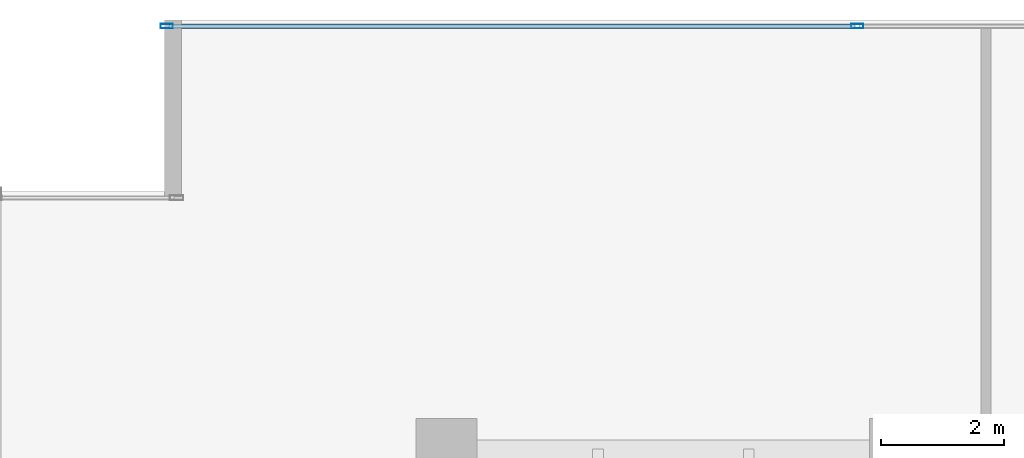
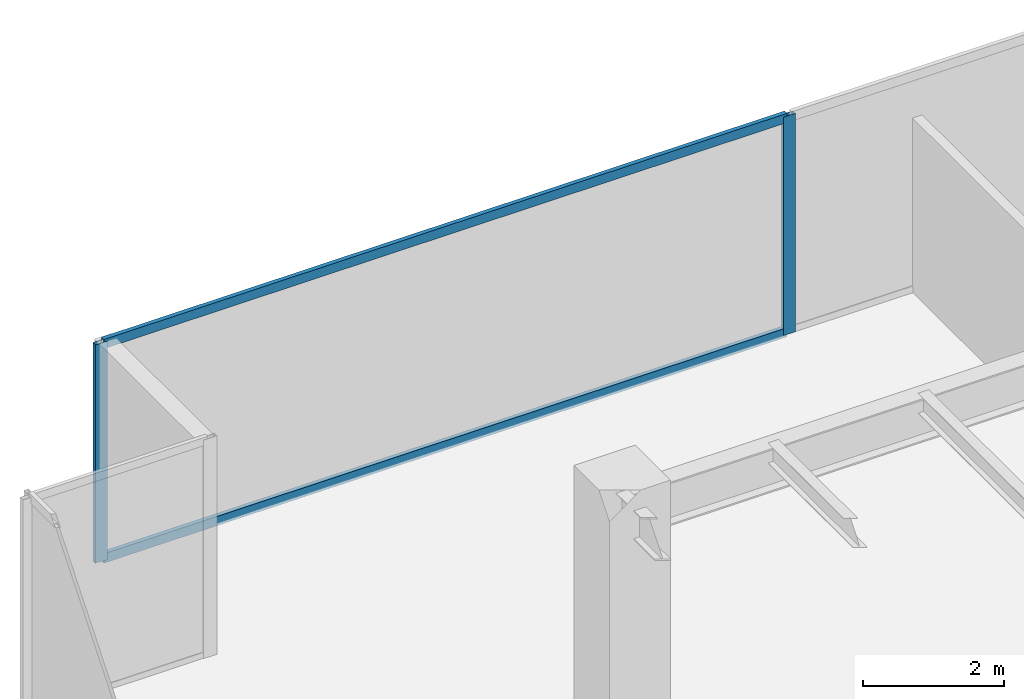
# One storey, part 15 of 35: 4 members, 1 element without a shape of its own.
"""IFC4 building model written with IfcOpenShell, lengths in metres."""

from ifc_helpers import new_model, si_unit, direction, frame, origin, origin_2d, place, context, subcontext, project, spatial, hollow_rectangle, extrude, source, transform, mapped, material, layer, layer_set, material_profile, profile_set, type_object, type_shapes, element, aggregate, save


model = new_model("IFC4")

# Units and contexts
model_context = context("Model", 3, precision=1e-05, world=origin(), true_north=direction((0.0, 1.0)))
body_context = subcontext(model_context, "Body", "Model", "MODEL_VIEW")
ifc_project = project(units=[si_unit("LENGTHUNIT", "METRE"), si_unit("AREAUNIT", "SQUARE_METRE"), si_unit("VOLUMEUNIT", "CUBIC_METRE"), si_unit("PLANEANGLEUNIT", "RADIAN"), si_unit("MASSUNIT", "GRAM", prefix="KILO")], contexts=[model_context])

# Site, building, storey
site_placement = place(None, origin())
site = spatial("IfcSite", under=ifc_project, at=site_placement, CompositionType="ELEMENT")
building_placement = place(site_placement, origin())
building = spatial("IfcBuilding", under=site, at=building_placement, Name="Haelvirn Gate Laboratories", CompositionType="ELEMENT")
storey_placement = place(building_placement, frame((0.0, 0.0, 90.800048828125)))
storey = spatial("IfcBuildingStorey", under=building, at=storey_placement, Name="L22", CompositionType="ELEMENT", Elevation=90.800048828125)

# Curtain wall, members
ifc_material_1 = material(Name="Anodised bronze unitised aluminium & triple low-E glass", Category="aluminium")
ifc_layer = layer(ifc_material_1, 0.18408203125, Name="CW-SYS-2")
ifc_layer_set = layer_set([ifc_layer], Name="Anodised bronze unitised aluminium & triple low-E glass")
curtain_wall_type = type_object("IfcCurtainWallType", Name="CW-SYS-2", PredefinedType="NOTDEFINED", material=ifc_layer_set)
curtain_wall_placement = place(storey_placement, origin())
curtain_wall = element("IfcCurtainWall", 1, at=curtain_wall_placement, inside=storey, type_object=curtain_wall_type, Name="L22 Unitised Curtain Wall CW-L22-P0-E14-1", PredefinedType="NOTDEFINED")
ifc_material_2 = material(Name="Extruded aluminium 6063-T6 (anodised bronze)", Category="aluminium")
ifc_material_profile_1 = material_profile(ifc_material_2, hollow_rectangle(XDim=0.074951171875, YDim=0.199951171875, WallThickness=0.0048828125, at=origin_2d()), Name="CWM-200x75x5")
ifc_profile_set_1 = profile_set([ifc_material_profile_1], Name="Extruded aluminium 6063-T6 (anodised bronze)")
member_type_1 = type_object("IfcMemberType", Name="CWM-T200", PredefinedType="MULLION", material=ifc_profile_set_1)
shared_shape_1 = source(origin(), body_context, "Body", "SweptSolid", [
    extrude(hollow_rectangle(XDim=0.074951171875, YDim=0.199951171875, WallThickness=0.0048828125, at=origin_2d()), origin(), (0.0, 0.0, 1.0), 3.780029296875),
])
type_shapes(member_type_1, [shared_shape_1])
member_1_placement = place(storey_placement, frame((2.83740234375, 48.5, 0.0), z_axis=(0.0, 0.0, 1.0), x_axis=(0.0, 1.0, 0.0)))
member_1 = element("IfcMember", 2, at=member_1_placement, type_object=member_type_1, Name="CW2 mullion 1", PredefinedType="MULLION", context=body_context, shape_type="MappedRepresentation", body=[
    mapped(shared_shape_1, transform((0.0, 0.0, 0.0), scale=1.0)),
])
member_2_placement = place(storey_placement, frame((14.10009765625, 48.5, 0.0), z_axis=(0.0, 0.0, 1.0), x_axis=(0.0, 1.0, 0.0)))
member_2 = element("IfcMember", 3, at=member_2_placement, type_object=member_type_1, Name="CW2 mullion 2", PredefinedType="MULLION", context=body_context, shape_type="MappedRepresentation", body=[
    mapped(shared_shape_1, transform((0.0, 0.0, 0.0), scale=1.0)),
])
ifc_material_profile_2 = material_profile(ifc_material_2, hollow_rectangle(XDim=0.070068359375, YDim=0.159912109375, WallThickness=0.0048828125, at=origin_2d()), Name="CWT-160x70x5")
ifc_profile_set_2 = profile_set([ifc_material_profile_2], Name="Extruded aluminium 6063-T6 (anodised bronze)")
member_type_2 = type_object("IfcMemberType", Name="CWT-T160", PredefinedType="USERDEFINED", material=ifc_profile_set_2)
shared_shape_2 = source(origin(), body_context, "Body", "SweptSolid", [
    extrude(hollow_rectangle(XDim=0.070068359375, YDim=0.159912109375, WallThickness=0.0048828125, at=origin_2d()), origin(), (0.0, 0.0, 1.0), 11.1875),
])
type_shapes(member_type_2, [shared_shape_2])
member_3_placement = place(storey_placement, frame((2.875, 48.5, 0.034912109375), z_axis=(1.0, 0.0, 0.0), x_axis=(0.0, 1.0, 0.0)))
member_3 = element("IfcMember", 4, at=member_3_placement, type_object=member_type_2, Name="CW2 transom 1.1", ObjectType="TRANSOM", PredefinedType="USERDEFINED", context=body_context, shape_type="MappedRepresentation", body=[
    mapped(shared_shape_2, transform((0.0, 0.0, 0.0), scale=1.0)),
])
member_4_placement = place(storey_placement, frame((2.875, 48.5, 3.744873046875), z_axis=(1.0, 0.0, 0.0), x_axis=(0.0, 1.0, 0.0)))
member_4 = element("IfcMember", 5, at=member_4_placement, type_object=member_type_2, Name="CW2 transom 1.2", ObjectType="TRANSOM", PredefinedType="USERDEFINED", context=body_context, shape_type="MappedRepresentation", body=[
    mapped(shared_shape_2, transform((0.0, 0.0, 0.0), scale=1.0)),
])
aggregate(curtain_wall, [member_1, member_2, member_3, member_4])

save(model, "model.ifc")
